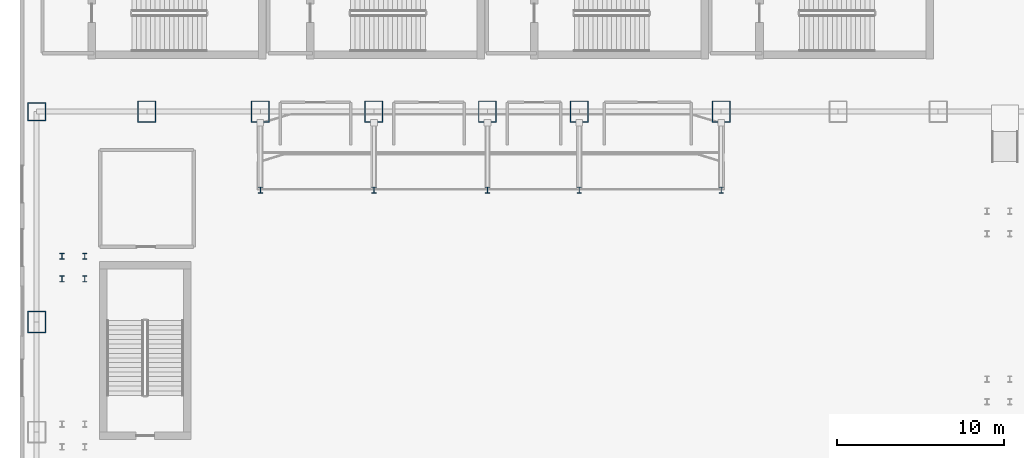
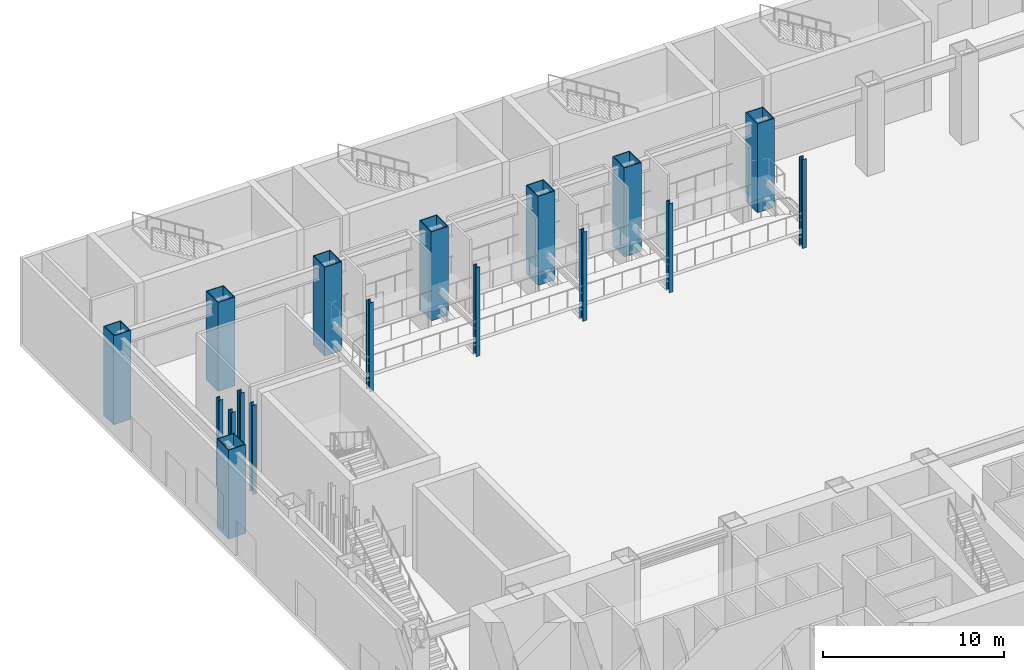
# One storey, part 3 of 25: 17 columns.
"""IFC4 building model written with IfcOpenShell, lengths in metres."""

from ifc_helpers import new_model, si_unit, derived_unit, direction, frame, origin, origin_2d, place, context, subcontext, project, spatial, hollow_rectangle, i_section, extrude, source, transform, mapped, material, material_profile, profile_set, type_object, element, save


model = new_model("IFC4")

# Units and contexts
model_context = context("Model", 3, precision=1e-05, world=origin(), true_north=direction((0.0, 1.0)))
body_context = subcontext(model_context, "Body", "Model", "MODEL_VIEW")
ifc_project = project(units=[si_unit("LENGTHUNIT", "METRE"), si_unit("AREAUNIT", "SQUARE_METRE"), si_unit("VOLUMEUNIT", "CUBIC_METRE"), si_unit("PLANEANGLEUNIT", "RADIAN"), si_unit("MASSUNIT", "GRAM", prefix="KILO"), derived_unit("THERMALTRANSMITTANCEUNIT", [(si_unit("POWERUNIT", "WATT"), 1), (si_unit("LENGTHUNIT", "METRE"), -2), (si_unit("THERMODYNAMICTEMPERATUREUNIT", "KELVIN"), -1)])], contexts=[model_context])

# Site, building, storey
site_placement = place(None, origin())
site = spatial("IfcSite", under=ifc_project, at=site_placement, CompositionType="ELEMENT")
building_placement = place(site_placement, origin())
building = spatial("IfcBuilding", under=site, at=building_placement, Name="Skarnbrae Concourse Arena and Tower", CompositionType="ELEMENT")
storey_placement = place(building_placement, origin())
storey = spatial("IfcBuildingStorey", under=building, at=storey_placement, Name="L00", CompositionType="ELEMENT", Elevation=0.0)

# Columns
ifc_material = material(Name="Steel CSA G40.21 350W", Category="steel")
ifc_material_profile_1 = material_profile(ifc_material, hollow_rectangle(XDim=1.10009765625, YDim=1.10009765625, WallThickness=0.050048828125, at=origin_2d()), Name="BOX1100X1100X50")
ifc_profile_set_1 = profile_set([ifc_material_profile_1], Name="Steel CSA G40.21 350W")
column_type_1 = type_object("IfcColumnType", Name="COL-MEGA-BOX1100", PredefinedType="PILASTER", material=ifc_profile_set_1)
shared_shape_1 = source(origin(), body_context, "Body", "SweptSolid", [
    extrude(hollow_rectangle(XDim=1.10009765625, YDim=1.10009765625, WallThickness=0.050048828125, at=origin_2d()), origin(), (0.0, 0.0, 1.0), 6.0),
])
column_placement = place(storey_placement, frame((1.0, 47.0, 0.0), z_axis=(0.0, 0.0, 1.0), x_axis=(1.0, 0.0, 0.0)))
element("IfcColumn", 1, at=column_placement, inside=storey, type_object=column_type_1, Name="L00 Podium mega-column MC-W6", PredefinedType="PILASTER", context=body_context, shape_type="MappedRepresentation", body=[
    mapped(shared_shape_1, transform((0.0, 0.0, 0.0))),
])
ifc_material_profile_2 = material_profile(ifc_material, hollow_rectangle(XDim=1.10009765625, YDim=1.300048828125, WallThickness=0.054931640625, at=origin_2d()), Name="BOX1300X1100X55")
ifc_profile_set_2 = profile_set([ifc_material_profile_2], Name="Steel CSA G40.21 350W")
column_type_2 = type_object("IfcColumnType", Name="COL-MEGA-BOX1300", PredefinedType="PILASTER", material=ifc_profile_set_2)
shared_shape_2 = source(origin(), body_context, "Body", "SweptSolid", [
    extrude(hollow_rectangle(XDim=1.10009765625, YDim=1.300048828125, WallThickness=0.054931640625, at=origin_2d()), origin(), (0.0, 0.0, 1.0), 6.0),
])
for number, where, z_axis, x_axis, name in (
    (2, (1.0, 34.39990234375, 0.0), (0.0, 0.0, 1.0), (1.0, 0.0, 0.0), "L00 Podium mega-column MC-W4"),
    (3, (7.60009765625, 47.0, 0.0), (0.0, 0.0, 1.0), (1.0, 0.0, 0.0), "L00 Podium mega-column MC-N2"),
    (4, (14.39990234375, 47.0, 0.0), (0.0, 0.0, 1.0), (1.0, 0.0, 0.0), "L00 Podium mega-column MC-N3"),
    (5, (21.199951171875, 47.0, 0.0), (0.0, 0.0, 1.0), (1.0, 0.0, 0.0), "L00 Podium mega-column MC-N4"),
    (6, (28.0, 47.0, 0.0), (0.0, 0.0, 1.0), (1.0, 0.0, 0.0), "L00 Podium mega-column MC-N5"),
    (7, (33.5, 47.0, 0.0), (0.0, 0.0, 1.0), (1.0, 0.0, 0.0), "L00 Podium mega-column MC-N6"),
    (8, (42.0, 47.0, 0.0), (0.0, 0.0, 1.0), (1.0, 0.0, 0.0), "L00 Podium mega-column MC-N7"),
):
    element("IfcColumn", number, at=place(storey_placement, frame(where, z_axis=z_axis, x_axis=x_axis)), inside=storey, type_object=column_type_2, Name=name, PredefinedType="PILASTER", context=body_context, shape_type="MappedRepresentation", body=[
        mapped(shared_shape_2, transform((0.0, 0.0, 0.0))),
    ])
ifc_material_profile_3 = material_profile(ifc_material, i_section(OverallWidth=0.257080078125, OverallDepth=0.363037109375, WebThickness=0.012939453125, FlangeThickness=0.021728515625, at=origin_2d()), Name="W360X122")
ifc_profile_set_3 = profile_set([ifc_material_profile_3], Name="Steel CSA G40.21 350W")
column_type_3 = type_object("IfcColumnType", Name="COL-POD-W360X122", PredefinedType="COLUMN", material=ifc_profile_set_3)
shared_shape_3 = source(origin(), body_context, "Body", "SweptSolid", [
    extrude(i_section(OverallWidth=0.257080078125, OverallDepth=0.363037109375, WebThickness=0.012939453125, FlangeThickness=0.021728515625, at=origin_2d()), origin(), (0.0, 0.0, 1.0), 6.0),
])
for number, where, z_axis, x_axis, name in (
    (9, (14.39990234375, 42.300048828125, 0.0), (0.0, 0.0, 1.0), (1.0, 0.0, 0.0), "L00 Arena seating stand toe column X14"),
    (10, (21.199951171875, 42.300048828125, 0.0), (0.0, 0.0, 1.0), (1.0, 0.0, 0.0), "L00 Arena seating stand toe column X21"),
    (11, (28.0, 42.300048828125, 0.0), (0.0, 0.0, 1.0), (1.0, 0.0, 0.0), "L00 Arena seating stand toe column X28"),
    (12, (33.5, 42.300048828125, 0.0), (0.0, 0.0, 1.0), (1.0, 0.0, 0.0), "L00 Arena seating stand toe column X33"),
    (13, (42.0, 42.300048828125, 0.0), (0.0, 0.0, 1.0), (1.0, 0.0, 0.0), "L00 Arena seating stand toe column X42"),
    (14, (2.52001953125, 36.97998046875, 0.0), (0.0, 0.0, 1.0), (1.0, 0.0, 0.0), "L00 Concourse stair ST-CONC-2-L01 TOP post 11"),
    (15, (2.52001953125, 38.340087890625, 0.0), (0.0, 0.0, 1.0), (1.0, 0.0, 0.0), "L00 Concourse stair ST-CONC-2-L01 TOP post 12"),
    (16, (3.8798828125, 36.97998046875, 0.0), (0.0, 0.0, 1.0), (1.0, 0.0, 0.0), "L00 Concourse stair ST-CONC-2-L01 TOP post 21"),
    (17, (3.8798828125, 38.340087890625, 0.0), (0.0, 0.0, 1.0), (1.0, 0.0, 0.0), "L00 Concourse stair ST-CONC-2-L01 TOP post 22"),
):
    element("IfcColumn", number, at=place(storey_placement, frame(where, z_axis=z_axis, x_axis=x_axis)), inside=storey, type_object=column_type_3, Name=name, PredefinedType="COLUMN", context=body_context, shape_type="MappedRepresentation", body=[
        mapped(shared_shape_3, transform((0.0, 0.0, 0.0))),
    ])

save(model, "model.ifc")
